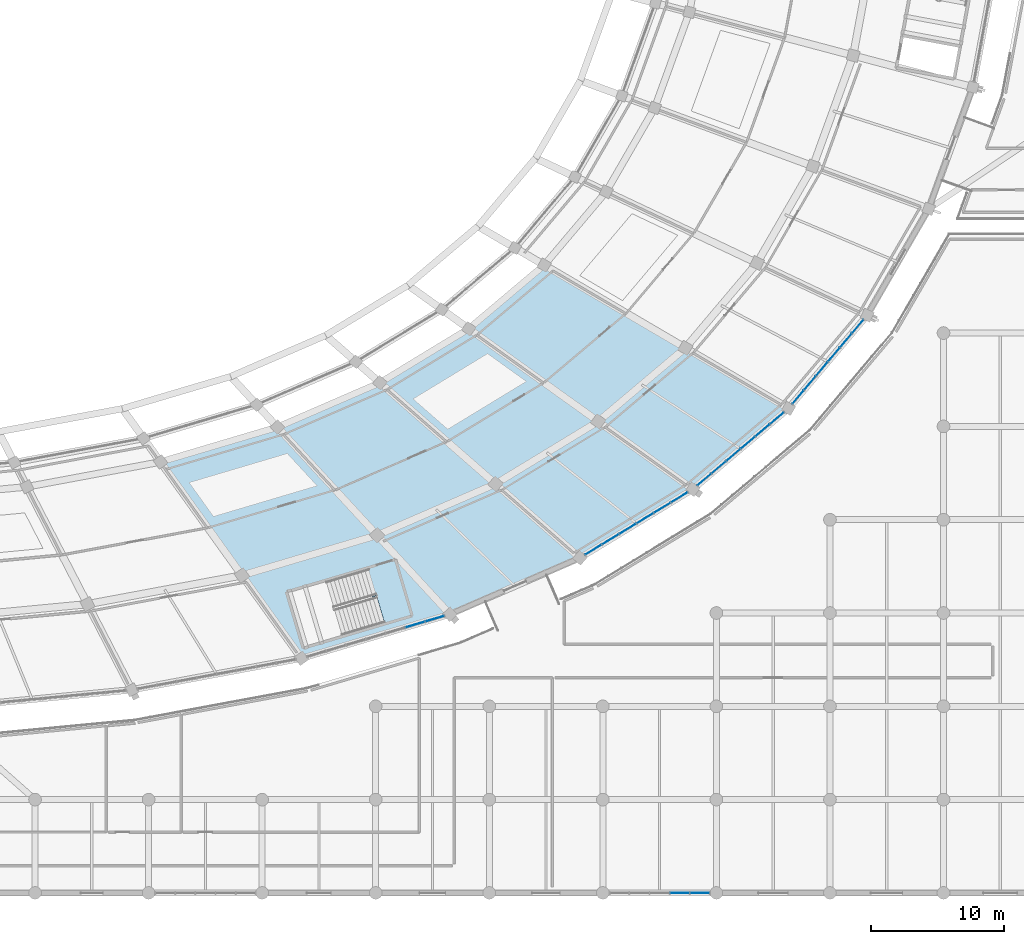
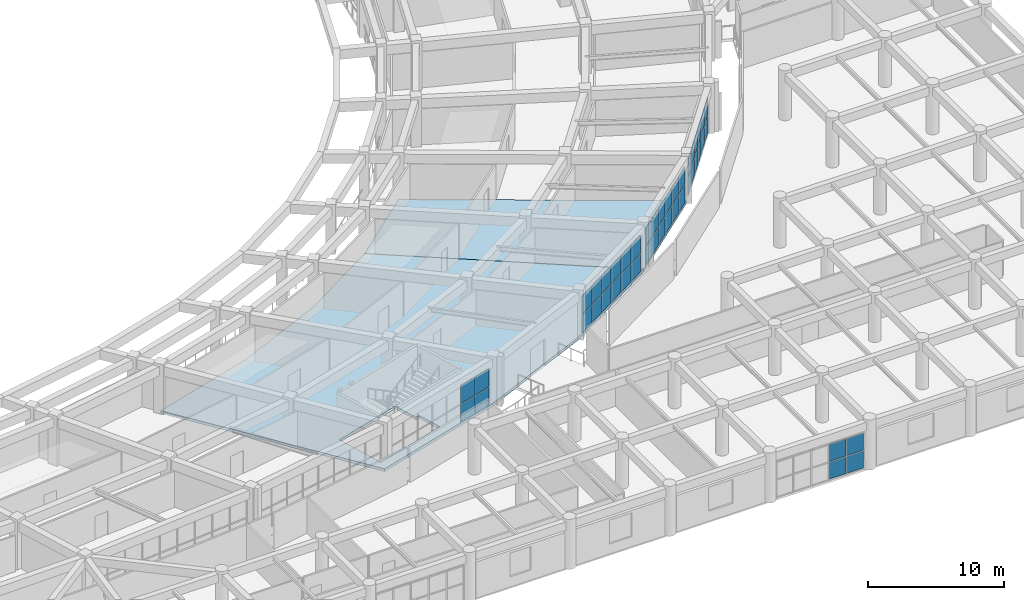
# One storey, part 83 of 145: 44 plates, 2 slabs, 5 elements without a shape of their own.
"""IFC4 building model written with IfcOpenShell, lengths in metres."""

from ifc_helpers import new_model, si_unit, direction, frame, origin, origin_2d, place, context, subcontext, project, spatial, polyline, rectangle, outline, extrude, material, layer, layer_set, type_object, element, aggregate, save


model = new_model("IFC4")

# Units and contexts
model_context = context("Model", 3, precision=1e-05, world=origin(), true_north=direction((0.0, 1.0)))
body_context = subcontext(model_context, "Body", "Model", "MODEL_VIEW")
ifc_project = project(units=[si_unit("LENGTHUNIT", "METRE"), si_unit("AREAUNIT", "SQUARE_METRE"), si_unit("VOLUMEUNIT", "CUBIC_METRE"), si_unit("PLANEANGLEUNIT", "RADIAN"), si_unit("MASSUNIT", "GRAM", prefix="KILO")], contexts=[model_context])

# Site, building, storey
site_placement = place(None, origin())
site = spatial("IfcSite", under=ifc_project, at=site_placement, CompositionType="ELEMENT")
building_placement = place(site_placement, origin())
building = spatial("IfcBuilding", under=site, at=building_placement, Name="Mphavela Belvedere Stadium", CompositionType="ELEMENT")
storey_placement = place(building_placement, frame((0.0, 0.0, 10.199951171875)))
storey = spatial("IfcBuildingStorey", under=building, at=storey_placement, Name="L02", CompositionType="ELEMENT", Elevation=10.199951171875)

# Curtain wall, plates
ifc_material_1 = material(Name="Anodised bronze unitised curtain wall framing")
ifc_layer_1 = layer(ifc_material_1, 0.179931640625)
ifc_layer_set_1 = layer_set([ifc_layer_1], Name="Anodised bronze unitised curtain wall framing")
curtain_wall_type_1 = type_object("IfcCurtainWallType", Name="CW-UNIT-01", PredefinedType="USERDEFINED", material=ifc_layer_set_1)
curtain_wall_1_placement = place(storey_placement, origin())
curtain_wall_1 = element("IfcCurtainWall", 1, at=curtain_wall_1_placement, inside=storey, type_object=curtain_wall_type_1, Name="Belvedere colonnade curtain wall L02-40", ObjectType="UNITISED CURTAIN WALL", PredefinedType="USERDEFINED")
ifc_material_2 = material(Name="Solar-control double glazing", Category="glass")
ifc_layer_2 = layer(ifc_material_2, 0.031982421875)
ifc_layer_set_2 = layer_set([ifc_layer_2], Name="Solar-control double glazing")
plate_type = type_object("IfcPlateType", Name="CWP-SOLAR-GLASS", PredefinedType="CURTAIN_PANEL", material=ifc_layer_set_2)
plate_1_placement = place(storey_placement, frame((173.333251953125, 20.135498046875, 0.06005859375), z_axis=(0.0, 0.0, 1.0), x_axis=(0.95866207188, 0.284547064542, 0.0)))
plate_1 = element("IfcPlate", 2, at=plate_1_placement, type_object=plate_type, Name="CW-01 panel 6.1", PredefinedType="CURTAIN_PANEL", context=body_context, shape_type="SweptSolid", body=[
    extrude(rectangle(XDim=1.480712890625, YDim=0.031982421875, at=origin_2d()), origin(), (0.0, 0.0, 1.0), 1.6201171875),
])
plate_2_placement = place(storey_placement, frame((173.333251953125, 20.135498046875, 1.739990234375), z_axis=(0.0, 0.0, 1.0), x_axis=(0.95866207188, 0.284547064542, 0.0)))
plate_2 = element("IfcPlate", 3, at=plate_2_placement, type_object=plate_type, Name="CW-01 panel 6.2", PredefinedType="CURTAIN_PANEL", context=body_context, shape_type="SweptSolid", body=[
    extrude(rectangle(XDim=1.480712890625, YDim=0.031982421875, at=origin_2d()), origin(), (0.0, 0.0, 1.0), 1.6201171875),
])
plate_3_placement = place(storey_placement, frame((174.799560546875, 20.57080078125, 0.06005859375), z_axis=(0.0, 0.0, 1.0), x_axis=(0.95866207188, 0.284547064542, 0.0)))
plate_3 = element("IfcPlate", 4, at=plate_3_placement, type_object=plate_type, Name="CW-01 panel 7.1", PredefinedType="CURTAIN_PANEL", context=body_context, shape_type="SweptSolid", body=[
    extrude(rectangle(XDim=1.4482421875, YDim=0.031982421875, at=origin_2d()), origin(), (0.0, 0.0, 1.0), 1.6201171875),
])
plate_4_placement = place(storey_placement, frame((174.799560546875, 20.57080078125, 1.739990234375), z_axis=(0.0, 0.0, 1.0), x_axis=(0.95866207188, 0.284547064542, 0.0)))
plate_4 = element("IfcPlate", 5, at=plate_4_placement, type_object=plate_type, Name="CW-01 panel 7.2", PredefinedType="CURTAIN_PANEL", context=body_context, shape_type="SweptSolid", body=[
    extrude(rectangle(XDim=1.4482421875, YDim=0.031982421875, at=origin_2d()), origin(), (0.0, 0.0, 1.0), 1.6201171875),
])
aggregate(curtain_wall_1, [plate_1, plate_2, plate_3, plate_4])

ifc_material_3 = material(Name="Anodised bronze unitised curtain wall framing")
ifc_layer_3 = layer(ifc_material_3, 0.18505859375)
ifc_layer_set_3 = layer_set([ifc_layer_3], Name="Anodised bronze unitised curtain wall framing")
curtain_wall_type_2 = type_object("IfcCurtainWallType", Name="CW-UNIT-02", PredefinedType="USERDEFINED", material=ifc_layer_set_3)
curtain_wall_2_placement = place(storey_placement, origin())
curtain_wall_2 = element("IfcCurtainWall", 6, at=curtain_wall_2_placement, inside=storey, type_object=curtain_wall_type_2, Name="Belvedere colonnade curtain wall L02-42", ObjectType="UNITISED CURTAIN WALL", PredefinedType="USERDEFINED")
plate_5_placement = place(storey_placement, frame((186.698486328125, 25.748779296875, 0.06005859375), z_axis=(0.0, 0.0, 1.0), x_axis=(0.85432958476, 0.519731623633, 0.0)))
plate_5 = element("IfcPlate", 7, at=plate_5_placement, type_object=plate_type, Name="CW-02 panel 1.1", PredefinedType="CURTAIN_PANEL", context=body_context, shape_type="SweptSolid", body=[
    extrude(rectangle(XDim=1.420166015625, YDim=0.031982421875, at=origin_2d()), origin(), (0.0, 0.0, 1.0), 1.6201171875),
])
plate_6_placement = place(storey_placement, frame((186.698486328125, 25.748779296875, 1.739990234375), z_axis=(0.0, 0.0, 1.0), x_axis=(0.85432958476, 0.519731623633, 0.0)))
plate_6 = element("IfcPlate", 8, at=plate_6_placement, type_object=plate_type, Name="CW-02 panel 1.2", PredefinedType="CURTAIN_PANEL", context=body_context, shape_type="SweptSolid", body=[
    extrude(rectangle(XDim=1.420166015625, YDim=0.031982421875, at=origin_2d()), origin(), (0.0, 0.0, 1.0), 1.6201171875),
])
plate_7_placement = place(storey_placement, frame((187.98095703125, 26.529052734375, 0.06005859375), z_axis=(0.0, 0.0, 1.0), x_axis=(0.85432958476, 0.519731623633, 0.0)))
plate_7 = element("IfcPlate", 9, at=plate_7_placement, type_object=plate_type, Name="CW-02 panel 2.1", PredefinedType="CURTAIN_PANEL", context=body_context, shape_type="SweptSolid", body=[
    extrude(rectangle(XDim=1.45263671875, YDim=0.031982421875, at=origin_2d()), origin(), (0.0, 0.0, 1.0), 1.6201171875),
])
plate_8_placement = place(storey_placement, frame((187.98095703125, 26.529052734375, 1.739990234375), z_axis=(0.0, 0.0, 1.0), x_axis=(0.85432958476, 0.519731623633, 0.0)))
plate_8 = element("IfcPlate", 10, at=plate_8_placement, type_object=plate_type, Name="CW-02 panel 2.2", PredefinedType="CURTAIN_PANEL", context=body_context, shape_type="SweptSolid", body=[
    extrude(rectangle(XDim=1.45263671875, YDim=0.031982421875, at=origin_2d()), origin(), (0.0, 0.0, 1.0), 1.6201171875),
])
plate_9_placement = place(storey_placement, frame((189.277587890625, 27.31787109375, 0.06005859375), z_axis=(0.0, 0.0, 1.0), x_axis=(0.85432958476, 0.519731623633, 0.0)))
plate_9 = element("IfcPlate", 11, at=plate_9_placement, type_object=plate_type, Name="CW-02 panel 3.1", PredefinedType="CURTAIN_PANEL", context=body_context, shape_type="SweptSolid", body=[
    extrude(rectangle(XDim=1.45263671875, YDim=0.031982421875, at=origin_2d()), origin(), (0.0, 0.0, 1.0), 1.6201171875),
])
plate_10_placement = place(storey_placement, frame((189.277587890625, 27.31787109375, 1.739990234375), z_axis=(0.0, 0.0, 1.0), x_axis=(0.85432958476, 0.519731623633, 0.0)))
plate_10 = element("IfcPlate", 12, at=plate_10_placement, type_object=plate_type, Name="CW-02 panel 3.2", PredefinedType="CURTAIN_PANEL", context=body_context, shape_type="SweptSolid", body=[
    extrude(rectangle(XDim=1.45263671875, YDim=0.031982421875, at=origin_2d()), origin(), (0.0, 0.0, 1.0), 1.6201171875),
])
plate_11_placement = place(storey_placement, frame((190.57421875, 28.106689453125, 0.06005859375), z_axis=(0.0, 0.0, 1.0), x_axis=(0.85432958476, 0.519731623633, 0.0)))
plate_11 = element("IfcPlate", 13, at=plate_11_placement, type_object=plate_type, Name="CW-02 panel 4.1", PredefinedType="CURTAIN_PANEL", context=body_context, shape_type="SweptSolid", body=[
    extrude(rectangle(XDim=1.45263671875, YDim=0.031982421875, at=origin_2d()), origin(), (0.0, 0.0, 1.0), 1.6201171875),
])
plate_12_placement = place(storey_placement, frame((190.57421875, 28.106689453125, 1.739990234375), z_axis=(0.0, 0.0, 1.0), x_axis=(0.85432958476, 0.519731623633, 0.0)))
plate_12 = element("IfcPlate", 14, at=plate_12_placement, type_object=plate_type, Name="CW-02 panel 4.2", PredefinedType="CURTAIN_PANEL", context=body_context, shape_type="SweptSolid", body=[
    extrude(rectangle(XDim=1.45263671875, YDim=0.031982421875, at=origin_2d()), origin(), (0.0, 0.0, 1.0), 1.6201171875),
])
plate_13_placement = place(storey_placement, frame((191.870849609375, 28.8955078125, 0.06005859375), z_axis=(0.0, 0.0, 1.0), x_axis=(0.85432958476, 0.519731623633, 0.0)))
plate_13 = element("IfcPlate", 15, at=plate_13_placement, type_object=plate_type, Name="CW-02 panel 5.1", PredefinedType="CURTAIN_PANEL", context=body_context, shape_type="SweptSolid", body=[
    extrude(rectangle(XDim=1.45263671875, YDim=0.031982421875, at=origin_2d()), origin(), (0.0, 0.0, 1.0), 1.6201171875),
])
plate_14_placement = place(storey_placement, frame((191.870849609375, 28.8955078125, 1.739990234375), z_axis=(0.0, 0.0, 1.0), x_axis=(0.85432958476, 0.519731623633, 0.0)))
plate_14 = element("IfcPlate", 16, at=plate_14_placement, type_object=plate_type, Name="CW-02 panel 5.2", PredefinedType="CURTAIN_PANEL", context=body_context, shape_type="SweptSolid", body=[
    extrude(rectangle(XDim=1.45263671875, YDim=0.031982421875, at=origin_2d()), origin(), (0.0, 0.0, 1.0), 1.6201171875),
])
plate_15_placement = place(storey_placement, frame((193.1533203125, 29.67578125, 0.06005859375), z_axis=(0.0, 0.0, 1.0), x_axis=(0.85432958476, 0.519731623633, 0.0)))
plate_15 = element("IfcPlate", 17, at=plate_15_placement, type_object=plate_type, Name="CW-02 panel 6.1", PredefinedType="CURTAIN_PANEL", context=body_context, shape_type="SweptSolid", body=[
    extrude(rectangle(XDim=1.420166015625, YDim=0.031982421875, at=origin_2d()), origin(), (0.0, 0.0, 1.0), 1.6201171875),
])
plate_16_placement = place(storey_placement, frame((193.1533203125, 29.67578125, 1.739990234375), z_axis=(0.0, 0.0, 1.0), x_axis=(0.85432958476, 0.519731623633, 0.0)))
plate_16 = element("IfcPlate", 18, at=plate_16_placement, type_object=plate_type, Name="CW-02 panel 6.2", PredefinedType="CURTAIN_PANEL", context=body_context, shape_type="SweptSolid", body=[
    extrude(rectangle(XDim=1.420166015625, YDim=0.031982421875, at=origin_2d()), origin(), (0.0, 0.0, 1.0), 1.6201171875),
])
aggregate(curtain_wall_2, [plate_5, plate_6, plate_7, plate_8, plate_9, plate_10, plate_11, plate_12, plate_13, plate_14, plate_15, plate_16])

ifc_material_4 = material(Name="Anodised bronze unitised curtain wall framing")
ifc_layer_4 = layer(ifc_material_4, 0.18994140625)
ifc_layer_set_4 = layer_set([ifc_layer_4], Name="Anodised bronze unitised curtain wall framing")
curtain_wall_type_3 = type_object("IfcCurtainWallType", Name="CW-UNIT-03", PredefinedType="USERDEFINED", material=ifc_layer_set_4)
curtain_wall_3_placement = place(storey_placement, origin())
curtain_wall_3 = element("IfcCurtainWall", 19, at=curtain_wall_3_placement, inside=storey, type_object=curtain_wall_type_3, Name="Belvedere colonnade curtain wall L02-43", ObjectType="UNITISED CURTAIN WALL", PredefinedType="USERDEFINED")
plate_17_placement = place(storey_placement, frame((195.02001953125, 31.014892578125, 0.06005859375), z_axis=(0.0, 0.0, 1.0), x_axis=(0.764260865126, 0.644907225915, 0.0)))
plate_17 = element("IfcPlate", 20, at=plate_17_placement, type_object=plate_type, Name="CW-03 panel 1.1", PredefinedType="CURTAIN_PANEL", context=body_context, shape_type="SweptSolid", body=[
    extrude(rectangle(XDim=1.336181640625, YDim=0.031982421875, at=origin_2d()), origin(), (0.0, 0.0, 1.0), 1.6201171875),
])
plate_18_placement = place(storey_placement, frame((195.02001953125, 31.014892578125, 1.739990234375), z_axis=(0.0, 0.0, 1.0), x_axis=(0.764260865126, 0.644907225915, 0.0)))
plate_18 = element("IfcPlate", 21, at=plate_18_placement, type_object=plate_type, Name="CW-03 panel 1.2", PredefinedType="CURTAIN_PANEL", context=body_context, shape_type="SweptSolid", body=[
    extrude(rectangle(XDim=1.336181640625, YDim=0.031982421875, at=origin_2d()), origin(), (0.0, 0.0, 1.0), 1.6201171875),
])
plate_19_placement = place(storey_placement, frame((196.103271484375, 31.92919921875, 0.06005859375), z_axis=(0.0, 0.0, 1.0), x_axis=(0.764260865126, 0.644907225915, 0.0)))
plate_19 = element("IfcPlate", 22, at=plate_19_placement, type_object=plate_type, Name="CW-03 panel 2.1", PredefinedType="CURTAIN_PANEL", context=body_context, shape_type="SweptSolid", body=[
    extrude(rectangle(XDim=1.36865234375, YDim=0.031982421875, at=origin_2d()), origin(), (0.0, 0.0, 1.0), 1.6201171875),
])
plate_20_placement = place(storey_placement, frame((196.103271484375, 31.92919921875, 1.739990234375), z_axis=(0.0, 0.0, 1.0), x_axis=(0.764260865126, 0.644907225915, 0.0)))
plate_20 = element("IfcPlate", 23, at=plate_20_placement, type_object=plate_type, Name="CW-03 panel 2.2", PredefinedType="CURTAIN_PANEL", context=body_context, shape_type="SweptSolid", body=[
    extrude(rectangle(XDim=1.36865234375, YDim=0.031982421875, at=origin_2d()), origin(), (0.0, 0.0, 1.0), 1.6201171875),
])
plate_21_placement = place(storey_placement, frame((197.198974609375, 32.853759765625, 0.06005859375), z_axis=(0.0, 0.0, 1.0), x_axis=(0.764260865126, 0.644907225915, 0.0)))
plate_21 = element("IfcPlate", 24, at=plate_21_placement, type_object=plate_type, Name="CW-03 panel 3.1", PredefinedType="CURTAIN_PANEL", context=body_context, shape_type="SweptSolid", body=[
    extrude(rectangle(XDim=1.36865234375, YDim=0.031982421875, at=origin_2d()), origin(), (0.0, 0.0, 1.0), 1.6201171875),
])
plate_22_placement = place(storey_placement, frame((197.198974609375, 32.853759765625, 1.739990234375), z_axis=(0.0, 0.0, 1.0), x_axis=(0.764260865126, 0.644907225915, 0.0)))
plate_22 = element("IfcPlate", 25, at=plate_22_placement, type_object=plate_type, Name="CW-03 panel 3.2", PredefinedType="CURTAIN_PANEL", context=body_context, shape_type="SweptSolid", body=[
    extrude(rectangle(XDim=1.36865234375, YDim=0.031982421875, at=origin_2d()), origin(), (0.0, 0.0, 1.0), 1.6201171875),
])
plate_23_placement = place(storey_placement, frame((198.294921875, 33.7783203125, 0.06005859375), z_axis=(0.0, 0.0, 1.0), x_axis=(0.764260865126, 0.644907225915, 0.0)))
plate_23 = element("IfcPlate", 26, at=plate_23_placement, type_object=plate_type, Name="CW-03 panel 4.1", PredefinedType="CURTAIN_PANEL", context=body_context, shape_type="SweptSolid", body=[
    extrude(rectangle(XDim=1.36865234375, YDim=0.031982421875, at=origin_2d()), origin(), (0.0, 0.0, 1.0), 1.6201171875),
])
plate_24_placement = place(storey_placement, frame((198.294921875, 33.7783203125, 1.739990234375), z_axis=(0.0, 0.0, 1.0), x_axis=(0.764260865126, 0.644907225915, 0.0)))
plate_24 = element("IfcPlate", 27, at=plate_24_placement, type_object=plate_type, Name="CW-03 panel 4.2", PredefinedType="CURTAIN_PANEL", context=body_context, shape_type="SweptSolid", body=[
    extrude(rectangle(XDim=1.36865234375, YDim=0.031982421875, at=origin_2d()), origin(), (0.0, 0.0, 1.0), 1.6201171875),
])
plate_25_placement = place(storey_placement, frame((199.390625, 34.702880859375, 0.06005859375), z_axis=(0.0, 0.0, 1.0), x_axis=(0.764260865126, 0.644907225915, 0.0)))
plate_25 = element("IfcPlate", 28, at=plate_25_placement, type_object=plate_type, Name="CW-03 panel 5.1", PredefinedType="CURTAIN_PANEL", context=body_context, shape_type="SweptSolid", body=[
    extrude(rectangle(XDim=1.36865234375, YDim=0.031982421875, at=origin_2d()), origin(), (0.0, 0.0, 1.0), 1.6201171875),
])
plate_26_placement = place(storey_placement, frame((199.390625, 34.702880859375, 1.739990234375), z_axis=(0.0, 0.0, 1.0), x_axis=(0.764260865126, 0.644907225915, 0.0)))
plate_26 = element("IfcPlate", 29, at=plate_26_placement, type_object=plate_type, Name="CW-03 panel 5.2", PredefinedType="CURTAIN_PANEL", context=body_context, shape_type="SweptSolid", body=[
    extrude(rectangle(XDim=1.36865234375, YDim=0.031982421875, at=origin_2d()), origin(), (0.0, 0.0, 1.0), 1.6201171875),
])
plate_27_placement = place(storey_placement, frame((200.473876953125, 35.616943359375, 0.06005859375), z_axis=(0.0, 0.0, 1.0), x_axis=(0.764260865126, 0.644907225915, 0.0)))
plate_27 = element("IfcPlate", 30, at=plate_27_placement, type_object=plate_type, Name="CW-03 panel 6.1", PredefinedType="CURTAIN_PANEL", context=body_context, shape_type="SweptSolid", body=[
    extrude(rectangle(XDim=1.336181640625, YDim=0.031982421875, at=origin_2d()), origin(), (0.0, 0.0, 1.0), 1.6201171875),
])
plate_28_placement = place(storey_placement, frame((200.473876953125, 35.616943359375, 1.739990234375), z_axis=(0.0, 0.0, 1.0), x_axis=(0.764260865126, 0.644907225915, 0.0)))
plate_28 = element("IfcPlate", 31, at=plate_28_placement, type_object=plate_type, Name="CW-03 panel 6.2", PredefinedType="CURTAIN_PANEL", context=body_context, shape_type="SweptSolid", body=[
    extrude(rectangle(XDim=1.336181640625, YDim=0.031982421875, at=origin_2d()), origin(), (0.0, 0.0, 1.0), 1.6201171875),
])
aggregate(curtain_wall_3, [plate_17, plate_18, plate_19, plate_20, plate_21, plate_22, plate_23, plate_24, plate_25, plate_26, plate_27, plate_28])

ifc_material_5 = material(Name="Anodised bronze unitised curtain wall framing")
ifc_layer_5 = layer(ifc_material_5, 0.195068359375)
ifc_layer_set_5 = layer_set([ifc_layer_5], Name="Anodised bronze unitised curtain wall framing")
curtain_wall_type_4 = type_object("IfcCurtainWallType", Name="CW-UNIT-04", PredefinedType="USERDEFINED", material=ifc_layer_set_5)
curtain_wall_4_placement = place(storey_placement, origin())
curtain_wall_4 = element("IfcCurtainWall", 32, at=curtain_wall_4_placement, inside=storey, type_object=curtain_wall_type_4, Name="Belvedere colonnade curtain wall L02-44", ObjectType="UNITISED CURTAIN WALL", PredefinedType="USERDEFINED")
plate_29_placement = place(storey_placement, frame((202.0546875, 37.195068359375, 0.06005859375), z_axis=(0.0, 0.0, 1.0), x_axis=(0.645169328899, 0.76403961746, 0.0)))
plate_29 = element("IfcPlate", 33, at=plate_29_placement, type_object=plate_type, Name="CW-04 panel 1.1", PredefinedType="CURTAIN_PANEL", context=body_context, shape_type="SweptSolid", body=[
    extrude(rectangle(XDim=1.295166015625, YDim=0.031982421875, at=origin_2d()), origin(), (0.0, 0.0, 1.0), 1.6201171875),
])
plate_30_placement = place(storey_placement, frame((202.0546875, 37.195068359375, 1.739990234375), z_axis=(0.0, 0.0, 1.0), x_axis=(0.645169328899, 0.76403961746, 0.0)))
plate_30 = element("IfcPlate", 34, at=plate_30_placement, type_object=plate_type, Name="CW-04 panel 1.2", PredefinedType="CURTAIN_PANEL", context=body_context, shape_type="SweptSolid", body=[
    extrude(rectangle(XDim=1.295166015625, YDim=0.031982421875, at=origin_2d()), origin(), (0.0, 0.0, 1.0), 1.6201171875),
])
plate_31_placement = place(storey_placement, frame((202.94287109375, 38.24658203125, 0.06005859375), z_axis=(0.0, 0.0, 1.0), x_axis=(0.645169328899, 0.76403961746, 0.0)))
plate_31 = element("IfcPlate", 35, at=plate_31_placement, type_object=plate_type, Name="CW-04 panel 2.1", PredefinedType="CURTAIN_PANEL", context=body_context, shape_type="SweptSolid", body=[
    extrude(rectangle(XDim=1.32763671875, YDim=0.031982421875, at=origin_2d()), origin(), (0.0, 0.0, 1.0), 1.6201171875),
])
plate_32_placement = place(storey_placement, frame((202.94287109375, 38.24658203125, 1.739990234375), z_axis=(0.0, 0.0, 1.0), x_axis=(0.645169328899, 0.76403961746, 0.0)))
plate_32 = element("IfcPlate", 36, at=plate_32_placement, type_object=plate_type, Name="CW-04 panel 2.2", PredefinedType="CURTAIN_PANEL", context=body_context, shape_type="SweptSolid", body=[
    extrude(rectangle(XDim=1.32763671875, YDim=0.031982421875, at=origin_2d()), origin(), (0.0, 0.0, 1.0), 1.6201171875),
])
plate_33_placement = place(storey_placement, frame((203.841064453125, 39.310546875, 0.06005859375), z_axis=(0.0, 0.0, 1.0), x_axis=(0.645169328899, 0.76403961746, 0.0)))
plate_33 = element("IfcPlate", 37, at=plate_33_placement, type_object=plate_type, Name="CW-04 panel 3.1", PredefinedType="CURTAIN_PANEL", context=body_context, shape_type="SweptSolid", body=[
    extrude(rectangle(XDim=1.32763671875, YDim=0.031982421875, at=origin_2d()), origin(), (0.0, 0.0, 1.0), 1.6201171875),
])
plate_34_placement = place(storey_placement, frame((203.841064453125, 39.310546875, 1.739990234375), z_axis=(0.0, 0.0, 1.0), x_axis=(0.645169328899, 0.76403961746, 0.0)))
plate_34 = element("IfcPlate", 38, at=plate_34_placement, type_object=plate_type, Name="CW-04 panel 3.2", PredefinedType="CURTAIN_PANEL", context=body_context, shape_type="SweptSolid", body=[
    extrude(rectangle(XDim=1.32763671875, YDim=0.031982421875, at=origin_2d()), origin(), (0.0, 0.0, 1.0), 1.6201171875),
])
plate_35_placement = place(storey_placement, frame((204.739501953125, 40.37451171875, 0.06005859375), z_axis=(0.0, 0.0, 1.0), x_axis=(0.645169328899, 0.76403961746, 0.0)))
plate_35 = element("IfcPlate", 39, at=plate_35_placement, type_object=plate_type, Name="CW-04 panel 4.1", PredefinedType="CURTAIN_PANEL", context=body_context, shape_type="SweptSolid", body=[
    extrude(rectangle(XDim=1.32763671875, YDim=0.031982421875, at=origin_2d()), origin(), (0.0, 0.0, 1.0), 1.6201171875),
])
plate_36_placement = place(storey_placement, frame((204.739501953125, 40.37451171875, 1.739990234375), z_axis=(0.0, 0.0, 1.0), x_axis=(0.645169328899, 0.76403961746, 0.0)))
plate_36 = element("IfcPlate", 40, at=plate_36_placement, type_object=plate_type, Name="CW-04 panel 4.2", PredefinedType="CURTAIN_PANEL", context=body_context, shape_type="SweptSolid", body=[
    extrude(rectangle(XDim=1.32763671875, YDim=0.031982421875, at=origin_2d()), origin(), (0.0, 0.0, 1.0), 1.6201171875),
])
plate_37_placement = place(storey_placement, frame((205.637939453125, 41.4384765625, 0.06005859375), z_axis=(0.0, 0.0, 1.0), x_axis=(0.645169328899, 0.76403961746, 0.0)))
plate_37 = element("IfcPlate", 41, at=plate_37_placement, type_object=plate_type, Name="CW-04 panel 5.1", PredefinedType="CURTAIN_PANEL", context=body_context, shape_type="SweptSolid", body=[
    extrude(rectangle(XDim=1.32763671875, YDim=0.031982421875, at=origin_2d()), origin(), (0.0, 0.0, 1.0), 1.6201171875),
])
plate_38_placement = place(storey_placement, frame((205.637939453125, 41.4384765625, 1.739990234375), z_axis=(0.0, 0.0, 1.0), x_axis=(0.645169328899, 0.76403961746, 0.0)))
plate_38 = element("IfcPlate", 42, at=plate_38_placement, type_object=plate_type, Name="CW-04 panel 5.2", PredefinedType="CURTAIN_PANEL", context=body_context, shape_type="SweptSolid", body=[
    extrude(rectangle(XDim=1.32763671875, YDim=0.031982421875, at=origin_2d()), origin(), (0.0, 0.0, 1.0), 1.6201171875),
])
plate_39_placement = place(storey_placement, frame((206.52587890625, 42.489990234375, 0.06005859375), z_axis=(0.0, 0.0, 1.0), x_axis=(0.645169328899, 0.76403961746, 0.0)))
plate_39 = element("IfcPlate", 43, at=plate_39_placement, type_object=plate_type, Name="CW-04 panel 6.1", PredefinedType="CURTAIN_PANEL", context=body_context, shape_type="SweptSolid", body=[
    extrude(rectangle(XDim=1.295166015625, YDim=0.031982421875, at=origin_2d()), origin(), (0.0, 0.0, 1.0), 1.6201171875),
])
plate_40_placement = place(storey_placement, frame((206.52587890625, 42.489990234375, 1.739990234375), z_axis=(0.0, 0.0, 1.0), x_axis=(0.645169328899, 0.76403961746, 0.0)))
plate_40 = element("IfcPlate", 44, at=plate_40_placement, type_object=plate_type, Name="CW-04 panel 6.2", PredefinedType="CURTAIN_PANEL", context=body_context, shape_type="SweptSolid", body=[
    extrude(rectangle(XDim=1.295166015625, YDim=0.031982421875, at=origin_2d()), origin(), (0.0, 0.0, 1.0), 1.6201171875),
])
aggregate(curtain_wall_4, [plate_29, plate_30, plate_31, plate_32, plate_33, plate_34, plate_35, plate_36, plate_37, plate_38, plate_39, plate_40])

curtain_wall_5_placement = place(storey_placement, origin())
curtain_wall_5 = element("IfcCurtainWall", 45, at=curtain_wall_5_placement, inside=storey, type_object=curtain_wall_type_4, Name="South Axial Triumphal Peristyle Portico gallery curtain wall L02-23", ObjectType="UNITISED CURTAIN WALL", PredefinedType="USERDEFINED")
plate_41_placement = place(storey_placement, frame((194.679443359375, 0.0, 0.06005859375), z_axis=(0.0, 0.0, 1.0), x_axis=(-1.0, 0.0, 0.0)))
plate_41 = element("IfcPlate", 46, at=plate_41_placement, type_object=plate_type, Name="CW-04 panel 1.1", PredefinedType="CURTAIN_PANEL", context=body_context, shape_type="SweptSolid", body=[
    extrude(rectangle(XDim=1.4169921875, YDim=0.031982421875, at=origin_2d()), origin(), (0.0, 0.0, 1.0), 1.5400390625),
])
plate_42_placement = place(storey_placement, frame((194.679443359375, 0.0, 1.659912109375), z_axis=(0.0, 0.0, 1.0), x_axis=(-1.0, 0.0, 0.0)))
plate_42 = element("IfcPlate", 47, at=plate_42_placement, type_object=plate_type, Name="CW-04 panel 1.2", PredefinedType="CURTAIN_PANEL", context=body_context, shape_type="SweptSolid", body=[
    extrude(rectangle(XDim=1.4169921875, YDim=0.031982421875, at=origin_2d()), origin(), (0.0, 0.0, 1.0), 1.5400390625),
])
plate_43_placement = place(storey_placement, frame((193.18115234375, 0.0, 0.06005859375), z_axis=(0.0, 0.0, 1.0), x_axis=(-1.0, 0.0, 0.0)))
plate_43 = element("IfcPlate", 48, at=plate_43_placement, type_object=plate_type, Name="CW-04 panel 2.1", PredefinedType="CURTAIN_PANEL", context=body_context, shape_type="SweptSolid", body=[
    extrude(rectangle(XDim=1.44970703125, YDim=0.031982421875, at=origin_2d()), origin(), (0.0, 0.0, 1.0), 1.5400390625),
])
plate_44_placement = place(storey_placement, frame((193.18115234375, 0.0, 1.659912109375), z_axis=(0.0, 0.0, 1.0), x_axis=(-1.0, 0.0, 0.0)))
plate_44 = element("IfcPlate", 49, at=plate_44_placement, type_object=plate_type, Name="CW-04 panel 2.2", PredefinedType="CURTAIN_PANEL", context=body_context, shape_type="SweptSolid", body=[
    extrude(rectangle(XDim=1.44970703125, YDim=0.031982421875, at=origin_2d()), origin(), (0.0, 0.0, 1.0), 1.5400390625),
])
aggregate(curtain_wall_5, [plate_41, plate_42, plate_43, plate_44])

# Slabs
ifc_material_6 = material(Name="Concrete C40/50", Category="concrete")
ifc_layer_6 = layer(ifc_material_6, 0.25)
ifc_layer_set_6 = layer_set([ifc_layer_6], Name="Concrete C40/50")
slab_type = type_object("IfcSlabType", Name="SLB-CONCOURSE-250", PredefinedType="FLOOR", material=ifc_layer_set_6)
slab_1_placement = place(storey_placement, frame((0.0, 0.0, -0.25)))
element("IfcSlab", 50, at=slab_1_placement, inside=storey, type_object=slab_type, Name="Concourse sector slab L02-S7:2", PredefinedType="FLOOR", context=body_context, shape_type="SweptSolid", body=[
    extrude(outline(polyline([(163.002685546875, 34.9375), (170.68994140625, 38.27001953125), (177.353759765625, 42.323974609375), (194.155517578125, 30.285400390625), (185.6962890625, 25.13916015625), (175.9375, 20.90869140625), (164.80126953125, 17.60302734375), (154.230224609375, 32.33349609375), (163.002685546875, 34.9375)]), holes=[polyline([(163.7998046875, 22.5087890625), (164.991943359375, 18.491943359375), (171.02783203125, 20.283203125), (170.431640625, 22.291748046875), (170.109619140625, 22.196044921875), (169.513427734375, 24.20458984375), (163.7998046875, 22.5087890625)])]), origin(), (0.0, 0.0, 1.0), 0.25),
])
slab_2_placement = place(storey_placement, frame((0.0, 0.0, -0.25)))
element("IfcSlab", 51, at=slab_2_placement, inside=storey, type_object=slab_type, Name="Concourse sector slab L02-S8:1", PredefinedType="FLOOR", context=body_context, shape_type="SweptSolid", body=[
    extrude(outline(polyline([(194.155517578125, 30.285400390625), (177.353759765625, 42.323974609375), (183.01171875, 47.098388671875), (201.33837890625, 36.346435546875), (194.155517578125, 30.285400390625)])), origin(), (0.0, 0.0, 1.0), 0.25),
])

save(model, "model.ifc")
